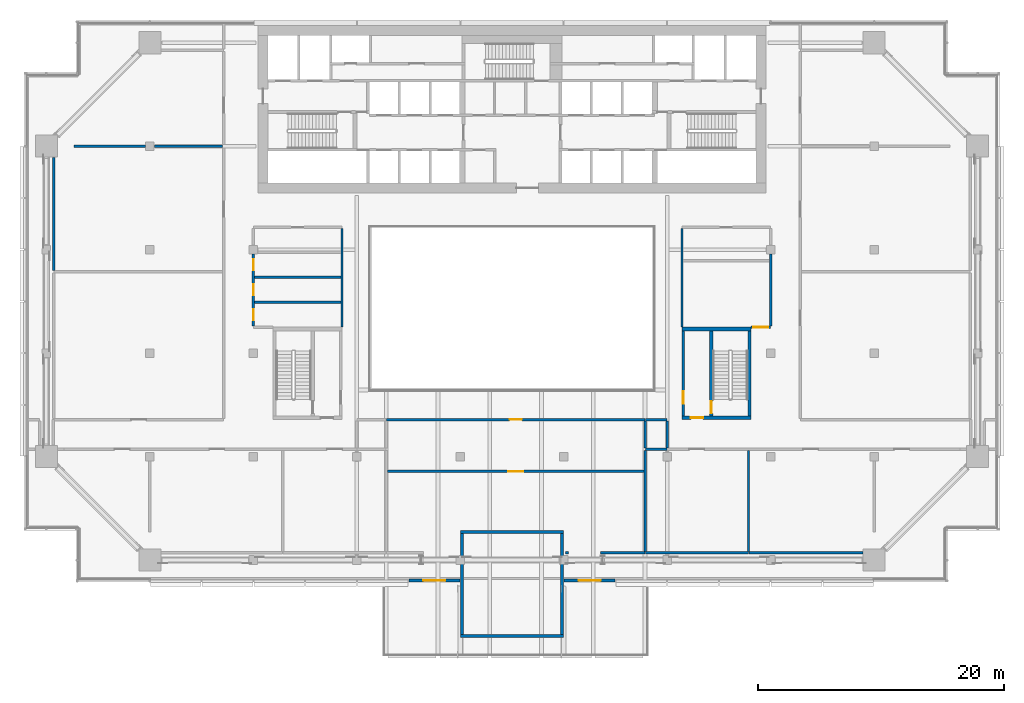
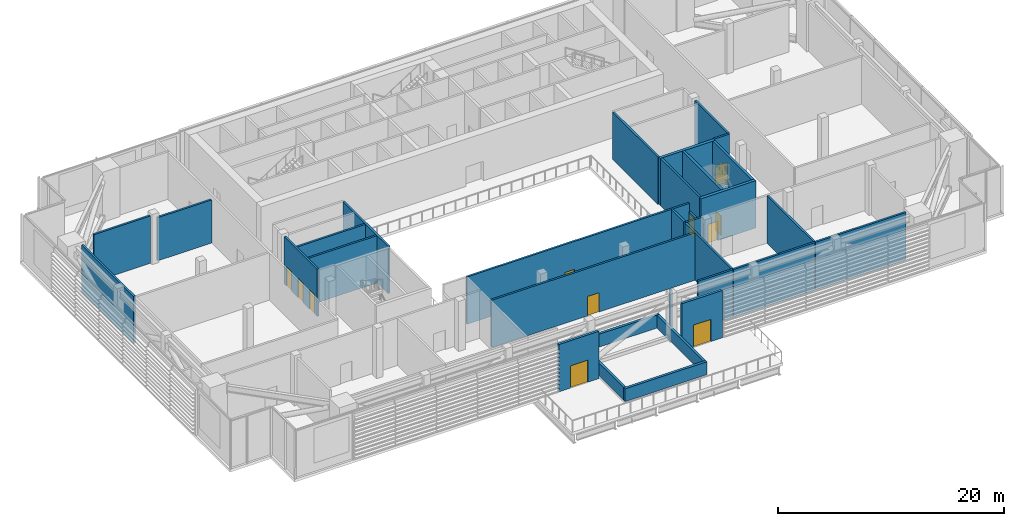
# One storey, part 13 of 29: 33 walls, 11 doors, 11 openings.
"""IFC4 building model written with IfcOpenShell, lengths in metres."""

from ifc_helpers import new_model, si_unit, direction, frame, frame_2d, origin, place, context, subcontext, project, spatial, rectangle, extrude, material, layer, layer_set, type_object, element, fill, save


model = new_model("IFC4")

# Units and contexts
model_context = context("Model", 3, precision=1e-05, world=origin(), true_north=direction((0.0, 1.0)))
body_context = subcontext(model_context, "Body", "Model", "MODEL_VIEW")
ifc_project = project(units=[si_unit("LENGTHUNIT", "METRE"), si_unit("AREAUNIT", "SQUARE_METRE"), si_unit("VOLUMEUNIT", "CUBIC_METRE"), si_unit("PLANEANGLEUNIT", "RADIAN"), si_unit("MASSUNIT", "GRAM", prefix="KILO")], contexts=[model_context])

# Site, building, storey
site_placement = place(None, origin())
site = spatial("IfcSite", under=ifc_project, at=site_placement, CompositionType="ELEMENT")
building_placement = place(site_placement, origin())
building = spatial("IfcBuilding", under=site, at=building_placement, Name="Saffron Gate Tower", CompositionType="ELEMENT")
storey_placement = place(building_placement, frame((0.0, 0.0, 142.050048828125)))
storey = spatial("IfcBuildingStorey", under=building, at=storey_placement, Name="L34", CompositionType="ELEMENT", Elevation=142.050048828125)

# Wall, opening, door
ifc_material_1 = material(Name="Gypsum board partition on steel studs", Category="steel")
ifc_layer_1 = layer(ifc_material_1, 0.199951171875)
ifc_layer_set_1 = layer_set([ifc_layer_1], Name="CW10 Core partition 200")
wall_type_1 = type_object("IfcWallType", Name="CW10 Core partition 200", PredefinedType="PARTITIONING", material=ifc_layer_set_1)
wall_1_placement = place(storey_placement, frame((101.5, 43.5, 0.0), z_axis=(0.0, 0.0, 1.0), x_axis=(0.0, 1.0, 0.0)))
wall_1 = element("IfcWall", 1, at=wall_1_placement, inside=storey, type_object=wall_type_1, Name="Wall CW10-L34-E-2", PredefinedType="PARTITIONING", context=body_context, shape_type="SweptSolid", body=[
    extrude(rectangle(XDim=6.89990234375, YDim=0.199951171875, at=frame_2d((3.449951171875, 0.0))), origin(), (0.0, 0.0, 1.0), 5.119873046875),
])
opening_1_placement = place(wall_1_placement, frame((1.0, 0.0, 0.0)))
opening_1 = element("IfcOpeningElement", 2, at=opening_1_placement, cuts=wall_1, Name="Opening CR-22", PredefinedType="OPENING", context=body_context, shape_type="SweptSolid", body=[
    extrude(rectangle(XDim=1.0, YDim=2.10009765625, at=frame_2d((0.5, 1.050048828125))), frame((0.0, 0.10986328125, 0.0), z_axis=(0.0, -1.0, 0.0), x_axis=(1.0, 0.0, 0.0)), (0.0, 0.0, 1.0), 0.219970703125),
])
ifc_material_2 = material(Name="Steel fire door set", Category="steel")
door_type_1 = type_object("IfcDoorType", Name="CD4 Lobby door 1000x2100 EI 120", OperationType="NOTDEFINED", PredefinedType="DOOR", material=ifc_material_2)
door_1_placement = place(opening_1_placement, origin())
door_1 = element("IfcDoor", 3, at=door_1_placement, inside=storey, type_object=door_type_1, Name="DOOR CR-22", OperationType="SINGLE_SWING_LEFT", OverallHeight=2.10009765625, OverallWidth=1.0, PredefinedType="DOOR", context=body_context, shape_type="SweptSolid", body=[
    extrude(rectangle(XDim=1.0, YDim=2.10009765625, at=frame_2d((0.5, 1.050048828125))), frame((0.0, 0.02490234375, 0.0), z_axis=(0.0, -1.0, 0.0), x_axis=(1.0, 0.0, 0.0)), (0.0, 0.0, 1.0), 0.050048828125),
])
fill(opening_1, door_1)

ifc_material_3 = material(Name="Concrete C60", Category="concrete")
ifc_layer_2 = layer(ifc_material_3, 0.25)
ifc_layer_set_2 = layer_set([ifc_layer_2], Name="CW14 RC core wall 250 C60")
wall_type_2 = type_object("IfcWallType", Name="CW14 RC core wall 250 C60", PredefinedType="SOLIDWALL", material=ifc_layer_set_2)
wall_2_placement = place(storey_placement, frame((103.77490234375, 43.5, 0.0), z_axis=(0.0, 0.0, 1.0), x_axis=(0.0, 1.0, 0.0)))
wall_2 = element("IfcWall", 4, at=wall_2_placement, inside=storey, type_object=wall_type_2, Name="Wall CW14-L34-E-3", PredefinedType="SOLIDWALL", context=body_context, shape_type="SweptSolid", body=[
    extrude(rectangle(XDim=6.89990234375, YDim=0.25, at=frame_2d((3.449951171875, 0.0))), origin(), (0.0, 0.0, 1.0), 5.119873046875),
])
opening_2_placement = place(wall_2_placement, frame((0.199951171875, 0.0, 0.0)))
opening_2 = element("IfcOpeningElement", 5, at=opening_2_placement, cuts=wall_2, Name="Opening CR-23", PredefinedType="OPENING", context=body_context, shape_type="SweptSolid", body=[
    extrude(rectangle(XDim=1.0, YDim=2.10009765625, at=frame_2d((0.5, 1.050048828125))), frame((0.0, 0.135009765625, 0.0), z_axis=(0.0, -1.0, 0.0), x_axis=(1.0, 0.0, 0.0)), (0.0, 0.0, 1.0), 0.27001953125),
])
door_type_2 = type_object("IfcDoorType", Name="CD5 Stair door 1000x2100 EI 120", OperationType="NOTDEFINED", PredefinedType="DOOR", material=ifc_material_2)
door_2_placement = place(opening_2_placement, origin())
door_2 = element("IfcDoor", 6, at=door_2_placement, inside=storey, type_object=door_type_2, Name="DOOR CR-23", OperationType="SINGLE_SWING_RIGHT", OverallHeight=2.10009765625, OverallWidth=1.0, PredefinedType="DOOR", context=body_context, shape_type="SweptSolid", body=[
    extrude(rectangle(XDim=1.0, YDim=2.10009765625, at=frame_2d((0.5, 1.050048828125))), frame((0.0, 0.02490234375, 0.0), z_axis=(0.0, -1.0, 0.0), x_axis=(1.0, 0.0, 0.0)), (0.0, 0.0, 1.0), 0.050048828125),
])
fill(opening_2, door_2)

# Wall
wall_3_placement = place(storey_placement, frame((106.875, 43.5, 0.0), z_axis=(0.0, 0.0, 1.0), x_axis=(0.0, 1.0, 0.0)))
element("IfcWall", 7, at=wall_3_placement, inside=storey, type_object=wall_type_2, Name="Wall CW14-L34-E-4", PredefinedType="SOLIDWALL", context=body_context, shape_type="SweptSolid", body=[
    extrude(rectangle(XDim=6.89990234375, YDim=0.25, at=frame_2d((3.449951171875, 0.0))), origin(), (0.0, 0.0, 1.0), 5.119873046875),
])

# Wall, opening, door
ifc_layer_3 = layer(ifc_material_3, 0.300048828125)
ifc_layer_set_3 = layer_set([ifc_layer_3], Name="CW17 RC core wall 300 C60")
wall_type_3 = type_object("IfcWallType", Name="CW17 RC core wall 300 C60", PredefinedType="SOLIDWALL", material=ifc_layer_set_3)
wall_4_placement = place(storey_placement, frame((101.39990234375, 43.35009765625, 0.0), z_axis=(0.0, 0.0, 1.0), x_axis=(1.0, 0.0, 0.0)))
wall_4 = element("IfcWall", 8, at=wall_4_placement, inside=storey, type_object=wall_type_3, Name="Wall CW17-L34-E-1", PredefinedType="SOLIDWALL", context=body_context, shape_type="SweptSolid", body=[
    extrude(rectangle(XDim=5.60009765625, YDim=0.300048828125, at=frame_2d((2.800048828125, 0.0))), origin(), (0.0, 0.0, 1.0), 5.119873046875),
])
opening_3_placement = place(wall_4_placement, frame((0.72509765625, 0.0, 0.0)))
opening_3 = element("IfcOpeningElement", 9, at=opening_3_placement, cuts=wall_4, Name="Opening CR-21", PredefinedType="OPENING", context=body_context, shape_type="SweptSolid", body=[
    extrude(rectangle(XDim=1.0, YDim=2.10009765625, at=frame_2d((0.5, 1.050048828125))), frame((0.0, 0.16015625, 0.0), z_axis=(0.0, -1.0, 0.0), x_axis=(1.0, 0.0, 0.0)), (0.0, 0.0, 1.0), 0.320068359375),
])
door_3_placement = place(opening_3_placement, origin())
door_3 = element("IfcDoor", 10, at=door_3_placement, inside=storey, type_object=door_type_1, Name="DOOR CR-21", OperationType="SINGLE_SWING_RIGHT", OverallHeight=2.10009765625, OverallWidth=1.0, PredefinedType="DOOR", context=body_context, shape_type="SweptSolid", body=[
    extrude(rectangle(XDim=1.0, YDim=2.10009765625, at=frame_2d((0.5, 1.050048828125))), frame((0.0, 0.02490234375, 0.0), z_axis=(0.0, -1.0, 0.0), x_axis=(1.0, 0.0, 0.0)), (0.0, 0.0, 1.0), 0.050048828125),
])
fill(opening_3, door_3)

# Walls
wall_5_placement = place(storey_placement, frame((101.39990234375, 50.550048828125, 0.0), z_axis=(0.0, 0.0, 1.0), x_axis=(1.0, 0.0, 0.0)))
element("IfcWall", 11, at=wall_5_placement, inside=storey, type_object=wall_type_3, Name="Wall CW17-L34-E-5", PredefinedType="SOLIDWALL", context=body_context, shape_type="SweptSolid", body=[
    extrude(rectangle(XDim=5.60009765625, YDim=0.300048828125, at=frame_2d((2.800048828125, 0.0))), origin(), (0.0, 0.0, 1.0), 5.119873046875),
])
ifc_material_4 = material(Name="Reinforced concrete C35/45, tiled", Category="concrete")
ifc_layer_4 = layer(ifc_material_4, 0.25)
ifc_layer_set_4 = layer_set([ifc_layer_4], Name="POOL2 basin wall")
wall_type_4 = type_object("IfcWallType", Name="POOL2 basin wall", PredefinedType="SOLIDWALL", material=ifc_layer_set_4)
for number, where, z_axis, x_axis, name in (
    (12, (83.39990234375, 25.625, 0.199951171875), (0.0, 0.0, 1.0), (1.0, 0.0, 0.0), "SKY POOL basin wall"),
    (13, (83.39990234375, 34.074951171875, 0.199951171875), (0.0, 0.0, 1.0), (1.0, 0.0, 0.0), "SKY POOL basin wall"),
):
    element("IfcWall", number, at=place(storey_placement, frame(where, z_axis=z_axis, x_axis=x_axis)), inside=storey, type_object=wall_type_4, Name=name, PredefinedType="SOLIDWALL", context=body_context, shape_type="SweptSolid", body=[
        extrude(rectangle(XDim=8.400146484375, YDim=0.25, at=frame_2d((4.2001953125, 0.0))), origin(), (0.0, 0.0, 1.0), 1.39990234375),
    ])
for number, where, z_axis, x_axis, name in (
    (14, (83.52490234375, 25.75, 0.199951171875), (0.0, 0.0, 1.0), (0.0, 1.0, 0.0), "SKY POOL basin wall"),
    (15, (91.675048828125, 25.75, 0.199951171875), (0.0, 0.0, 1.0), (0.0, 1.0, 0.0), "SKY POOL basin wall"),
):
    element("IfcWall", number, at=place(storey_placement, frame(where, z_axis=z_axis, x_axis=x_axis)), inside=storey, type_object=wall_type_4, Name=name, PredefinedType="SOLIDWALL", context=body_context, shape_type="SweptSolid", body=[
        extrude(rectangle(XDim=8.199951171875, YDim=0.25, at=frame_2d((4.10009765625, 0.0))), origin(), (0.0, 0.0, 1.0), 1.39990234375),
    ])
ifc_material_5 = material(Name="Clay brick masonry, rendered", Category="masonry")
ifc_layer_5 = layer(ifc_material_5, 0.199951171875)
ifc_layer_set_5 = layer_set([ifc_layer_5], Name="PW2 Demising wall 200")
wall_type_5 = type_object("IfcWallType", Name="PW2 Demising wall 200", PredefinedType="PARTITIONING", material=ifc_layer_set_5)
for number, where, z_axis, x_axis, name in (
    (16, (66.699951171875, 52.72509765625, 0.0), (0.0, 0.0, 1.0), (1.0, 0.0, 0.0), "Wall SL-26"),
    (17, (66.699951171875, 54.75, 0.0), (0.0, 0.0, 1.0), (1.0, 0.0, 0.0), "Wall SL-27"),
):
    element("IfcWall", number, at=place(storey_placement, frame(where, z_axis=z_axis, x_axis=x_axis)), inside=storey, type_object=wall_type_5, Name=name, PredefinedType="PARTITIONING", context=body_context, shape_type="SweptSolid", body=[
        extrude(rectangle(XDim=7.0, YDim=0.199951171875, at=frame_2d((3.5, 0.0))), origin(), (0.0, 0.0, 1.0), 5.119873046875),
    ])

# Wall, opening, door
ifc_layer_6 = layer(ifc_material_5, 0.199951171875)
ifc_layer_set_6 = layer_set([ifc_layer_6], Name="PW3 Corridor wall 200")
wall_type_6 = type_object("IfcWallType", Name="PW3 Corridor wall 200", PredefinedType="PARTITIONING", material=ifc_layer_set_6)
wall_6_placement = place(storey_placement, frame((98.39990234375, 43.199951171875, 0.0), z_axis=(0.0, 0.0, 1.0), x_axis=(-1.0, 0.0, 0.0)))
wall_6 = element("IfcWall", 18, at=wall_6_placement, inside=storey, type_object=wall_type_6, Name="Wall SL-18", PredefinedType="PARTITIONING", context=body_context, shape_type="SweptSolid", body=[
    extrude(rectangle(XDim=21.0, YDim=0.199951171875, at=frame_2d((10.5, 0.0))), origin(), (0.0, 0.0, 1.0), 5.119873046875),
])
opening_4_placement = place(wall_6_placement, frame((10.0, 0.0, 0.0)))
opening_4 = element("IfcOpeningElement", 19, at=opening_4_placement, cuts=wall_6, Name="Opening SL-2", PredefinedType="OPENING", context=body_context, shape_type="SweptSolid", body=[
    extrude(rectangle(XDim=1.0, YDim=2.10009765625, at=frame_2d((0.5, 1.050048828125))), frame((0.0, 0.10986328125, 0.0), z_axis=(0.0, -1.0, 0.0), x_axis=(1.0, 0.0, 0.0)), (0.0, 0.0, 1.0), 0.219970703125),
])
ifc_material_6 = material(Name="Timber door set", Category="wood")
door_type_3 = type_object("IfcDoorType", Name="RD1 Room door 900x2100", OperationType="NOTDEFINED", PredefinedType="DOOR", material=ifc_material_6)
door_4_placement = place(opening_4_placement, origin())
door_4 = element("IfcDoor", 20, at=door_4_placement, inside=storey, type_object=door_type_3, Name="Door SL-2", OperationType="SINGLE_SWING_RIGHT", OverallHeight=2.10009765625, OverallWidth=1.0, PredefinedType="DOOR", context=body_context, shape_type="SweptSolid", body=[
    extrude(rectangle(XDim=1.0, YDim=2.10009765625, at=frame_2d((0.5, 1.050048828125))), frame((0.0, 0.02490234375, 0.0), z_axis=(0.0, -1.0, 0.0), x_axis=(1.0, 0.0, 0.0)), (0.0, 0.0, 1.0), 0.050048828125),
])
fill(opening_4, door_4)

wall_7_placement = place(storey_placement, frame((107.0, 50.699951171875, 0.0), z_axis=(0.0, 0.0, 1.0), x_axis=(1.0, 0.0, 0.0)))
wall_7 = element("IfcWall", 21, at=wall_7_placement, inside=storey, type_object=wall_type_6, Name="Wall SL-25", PredefinedType="PARTITIONING", context=body_context, shape_type="SweptSolid", body=[
    extrude(rectangle(XDim=1.60009765625, YDim=0.199951171875, at=frame_2d((0.800048828125, 0.0))), origin(), (0.0, 0.0, 1.0), 5.119873046875),
])
opening_5_placement = place(wall_7_placement, frame((0.199951171875, 0.0, 0.0)))
opening_5 = element("IfcOpeningElement", 22, at=opening_5_placement, cuts=wall_7, Name="Opening SL-13", PredefinedType="OPENING", context=body_context, shape_type="SweptSolid", body=[
    extrude(rectangle(XDim=1.199951171875, YDim=2.10009765625, at=frame_2d((0.60009765625, 1.050048828125))), frame((0.0, 0.10986328125, 0.0), z_axis=(0.0, -1.0, 0.0), x_axis=(1.0, 0.0, 0.0)), (0.0, 0.0, 1.0), 0.219970703125),
])
door_type_4 = type_object("IfcDoorType", Name="HD1 Hall door 1200x2100", OperationType="NOTDEFINED", PredefinedType="DOOR", material=ifc_material_6)
door_5_placement = place(opening_5_placement, origin())
door_5 = element("IfcDoor", 23, at=door_5_placement, inside=storey, type_object=door_type_4, Name="Door SL-13", OperationType="SINGLE_SWING_LEFT", OverallHeight=2.10009765625, OverallWidth=1.199951171875, PredefinedType="DOOR", context=body_context, shape_type="SweptSolid", body=[
    extrude(rectangle(XDim=1.199951171875, YDim=2.10009765625, at=frame_2d((0.60009765625, 1.050048828125))), frame((0.0, 0.02490234375, 0.0), z_axis=(0.0, -1.0, 0.0), x_axis=(1.0, 0.0, 0.0)), (0.0, 0.0, 1.0), 0.050048828125),
])
fill(opening_5, door_5)

# Wall, openings, doors
wall_8_placement = place(storey_placement, frame((66.60009765625, 56.6298828125, 0.0), z_axis=(0.0, 0.0, 1.0), x_axis=(0.0, -1.0, 0.0)))
wall_8 = element("IfcWall", 24, at=wall_8_placement, inside=storey, type_object=wall_type_6, Name="Wall SL-47", PredefinedType="PARTITIONING", context=body_context, shape_type="SweptSolid", body=[
    extrude(rectangle(XDim=5.829833984375, YDim=0.199951171875, at=frame_2d((2.9150390625, 0.0))), origin(), (0.0, 0.0, 1.0), 5.119873046875),
])
opening_6_placement = place(wall_8_placement, frame((0.41748046875, 0.0, 0.0)))
opening_6 = element("IfcOpeningElement", 25, at=opening_6_placement, cuts=wall_8, Name="Opening SL-5", PredefinedType="OPENING", context=body_context, shape_type="SweptSolid", body=[
    extrude(rectangle(XDim=0.89990234375, YDim=2.10009765625, at=frame_2d((0.449951171875, 1.050048828125))), frame((0.0, 0.10986328125, 0.0), z_axis=(0.0, -1.0, 0.0), x_axis=(1.0, 0.0, 0.0)), (0.0, 0.0, 1.0), 0.219970703125),
])
opening_7_placement = place(wall_8_placement, frame((2.4423828125, 0.0, 0.0)))
opening_7 = element("IfcOpeningElement", 26, at=opening_7_placement, cuts=wall_8, Name="Opening SL-4", PredefinedType="OPENING", context=body_context, shape_type="SweptSolid", body=[
    extrude(rectangle(XDim=0.89990234375, YDim=2.10009765625, at=frame_2d((0.449951171875, 1.050048828125))), frame((0.0, 0.10986328125, 0.0), z_axis=(0.0, -1.0, 0.0), x_axis=(1.0, 0.0, 0.0)), (0.0, 0.0, 1.0), 0.219970703125),
])
opening_8_placement = place(wall_8_placement, frame((4.467529296875, 0.0, 0.0)))
opening_8 = element("IfcOpeningElement", 27, at=opening_8_placement, cuts=wall_8, Name="Opening SL-3", PredefinedType="OPENING", context=body_context, shape_type="SweptSolid", body=[
    extrude(rectangle(XDim=0.89990234375, YDim=2.10009765625, at=frame_2d((0.449951171875, 1.050048828125))), frame((0.0, 0.10986328125, 0.0), z_axis=(0.0, -1.0, 0.0), x_axis=(1.0, 0.0, 0.0)), (0.0, 0.0, 1.0), 0.219970703125),
])
door_6_placement = place(opening_6_placement, origin())
door_6 = element("IfcDoor", 28, at=door_6_placement, inside=storey, type_object=door_type_3, Name="Door SL-5", OperationType="SINGLE_SWING_LEFT", OverallHeight=2.10009765625, OverallWidth=0.89990234375, PredefinedType="DOOR", context=body_context, shape_type="SweptSolid", body=[
    extrude(rectangle(XDim=0.89990234375, YDim=2.10009765625, at=frame_2d((0.449951171875, 1.050048828125))), frame((0.0, 0.02490234375, 0.0), z_axis=(0.0, -1.0, 0.0), x_axis=(1.0, 0.0, 0.0)), (0.0, 0.0, 1.0), 0.050048828125),
])
fill(opening_6, door_6)
door_7_placement = place(opening_7_placement, origin())
door_7 = element("IfcDoor", 29, at=door_7_placement, inside=storey, type_object=door_type_3, Name="Door SL-4", OperationType="SINGLE_SWING_RIGHT", OverallHeight=2.10009765625, OverallWidth=0.89990234375, PredefinedType="DOOR", context=body_context, shape_type="SweptSolid", body=[
    extrude(rectangle(XDim=0.89990234375, YDim=2.10009765625, at=frame_2d((0.449951171875, 1.050048828125))), frame((0.0, 0.02490234375, 0.0), z_axis=(0.0, -1.0, 0.0), x_axis=(1.0, 0.0, 0.0)), (0.0, 0.0, 1.0), 0.050048828125),
])
fill(opening_7, door_7)
door_8_placement = place(opening_8_placement, origin())
door_8 = element("IfcDoor", 30, at=door_8_placement, inside=storey, type_object=door_type_3, Name="Door SL-3", OperationType="SINGLE_SWING_RIGHT", OverallHeight=2.10009765625, OverallWidth=0.89990234375, PredefinedType="DOOR", context=body_context, shape_type="SweptSolid", body=[
    extrude(rectangle(XDim=0.89990234375, YDim=2.10009765625, at=frame_2d((0.449951171875, 1.050048828125))), frame((0.0, 0.02490234375, 0.0), z_axis=(0.0, -1.0, 0.0), x_axis=(1.0, 0.0, 0.0)), (0.0, 0.0, 1.0), 0.050048828125),
])
fill(opening_8, door_8)

# Walls
for number, where, z_axis, x_axis, name in (
    (31, (73.800048828125, 58.699951171875, 0.0), (0.0, 0.0, 1.0), (0.0, -1.0, 0.0), "Wall SL-50"),
    (32, (101.39990234375, 58.699951171875, 0.0), (0.0, 0.0, 1.0), (0.0, -1.0, 0.0), "Wall SL-57"),
):
    element("IfcWall", number, at=place(storey_placement, frame(where, z_axis=z_axis, x_axis=x_axis)), inside=storey, type_object=wall_type_6, Name=name, PredefinedType="PARTITIONING", context=body_context, shape_type="SweptSolid", body=[
        extrude(rectangle(XDim=8.0, YDim=0.199951171875, at=frame_2d((4.0, 0.0))), origin(), (0.0, 0.0, 1.0), 5.119873046875),
    ])
wall_9_placement = place(storey_placement, frame((108.60009765625, 56.6298828125, 0.0), z_axis=(0.0, 0.0, 1.0), x_axis=(0.0, -1.0, 0.0)))
element("IfcWall", 33, at=wall_9_placement, inside=storey, type_object=wall_type_6, Name="Wall SL-59", PredefinedType="PARTITIONING", context=body_context, shape_type="SweptSolid", body=[
    extrude(rectangle(XDim=5.829833984375, YDim=0.199951171875, at=frame_2d((2.9150390625, 0.0))), origin(), (0.0, 0.0, 1.0), 5.119873046875),
])
ifc_layer_7 = layer(ifc_material_5, 0.199951171875)
ifc_layer_set_7 = layer_set([ifc_layer_7], Name="PW5 Room wall 200")
wall_type_7 = type_object("IfcWallType", Name="PW5 Room wall 200", PredefinedType="PARTITIONING", material=ifc_layer_set_7)
wall_10_placement = place(storey_placement, frame((91.949951171875, 32.39990234375, 0.0), z_axis=(0.0, 0.0, 1.0), x_axis=(1.0, 0.0, 0.0)))
element("IfcWall", 34, at=wall_10_placement, inside=storey, type_object=wall_type_7, Name="Wall SL-4", PredefinedType="PARTITIONING", context=body_context, shape_type="SweptSolid", body=[
    extrude(rectangle(XDim=0.25, YDim=0.199951171875, at=frame_2d((0.125, 0.0))), origin(), (0.0, 0.0, 1.0), 5.119873046875),
])
wall_11_placement = place(storey_placement, frame((94.800048828125, 32.39990234375, 0.0), z_axis=(0.0, 0.0, 1.0), x_axis=(1.0, 0.0, 0.0)))
element("IfcWall", 35, at=wall_11_placement, inside=storey, type_object=wall_type_7, Name="Wall SL-5", PredefinedType="PARTITIONING", context=body_context, shape_type="SweptSolid", body=[
    extrude(rectangle(XDim=3.579833984375, YDim=0.199951171875, at=frame_2d((1.7900390625, 0.0))), origin(), (0.0, 0.0, 1.0), 5.119873046875),
])
wall_12_placement = place(storey_placement, frame((98.419921875, 32.39990234375, 0.0), z_axis=(0.0, 0.0, 1.0), x_axis=(1.0, 0.0, 0.0)))
element("IfcWall", 36, at=wall_12_placement, inside=storey, type_object=wall_type_7, Name="Wall SL-6", PredefinedType="PARTITIONING", context=body_context, shape_type="SweptSolid", body=[
    extrude(rectangle(XDim=8.360107421875, YDim=0.199951171875, at=frame_2d((4.18017578125, 0.0))), origin(), (0.0, 0.0, 1.0), 5.119873046875),
])
wall_13_placement = place(storey_placement, frame((106.820068359375, 32.39990234375, 0.0), z_axis=(0.0, 0.0, 1.0), x_axis=(1.0, 0.0, 0.0)))
element("IfcWall", 37, at=wall_13_placement, inside=storey, type_object=wall_type_7, Name="Wall SL-7", PredefinedType="PARTITIONING", context=body_context, shape_type="SweptSolid", body=[
    extrude(rectangle(XDim=9.260009765625, YDim=0.199951171875, at=frame_2d((4.6298828125, 0.0))), origin(), (0.0, 0.0, 1.0), 5.119873046875),
])

# Wall, opening, door
wall_14_placement = place(storey_placement, frame((98.300048828125, 39.0, 0.0), z_axis=(0.0, 0.0, 1.0), x_axis=(-1.0, 0.0, 0.0)))
wall_14 = element("IfcWall", 38, at=wall_14_placement, inside=storey, type_object=wall_type_7, Name="Wall SL-8", PredefinedType="PARTITIONING", context=body_context, shape_type="SweptSolid", body=[
    extrude(rectangle(XDim=20.800048828125, YDim=0.199951171875, at=frame_2d((10.39990234375, 0.0))), origin(), (0.0, 0.0, 1.0), 5.119873046875),
])
opening_9_placement = place(wall_14_placement, frame((9.800048828125, 0.0, 0.0)))
opening_9 = element("IfcOpeningElement", 39, at=opening_9_placement, cuts=wall_14, Name="Opening SL-20", PredefinedType="OPENING", context=body_context, shape_type="SweptSolid", body=[
    extrude(rectangle(XDim=1.199951171875, YDim=2.10009765625, at=frame_2d((0.60009765625, 1.050048828125))), frame((0.0, 0.10986328125, 0.0), z_axis=(0.0, -1.0, 0.0), x_axis=(1.0, 0.0, 0.0)), (0.0, 0.0, 1.0), 0.219970703125),
])
door_9_placement = place(opening_9_placement, origin())
door_9 = element("IfcDoor", 40, at=door_9_placement, inside=storey, type_object=door_type_4, Name="Door SL-20", OperationType="SINGLE_SWING_RIGHT", OverallHeight=2.10009765625, OverallWidth=1.199951171875, PredefinedType="DOOR", context=body_context, shape_type="SweptSolid", body=[
    extrude(rectangle(XDim=1.199951171875, YDim=2.10009765625, at=frame_2d((0.60009765625, 1.050048828125))), frame((0.0, 0.02490234375, 0.0), z_axis=(0.0, -1.0, 0.0), x_axis=(1.0, 0.0, 0.0)), (0.0, 0.0, 1.0), 0.050048828125),
])
fill(opening_9, door_9)

# Walls
for number, where, z_axis, x_axis, name in (
    (41, (98.419921875, 40.800048828125, 0.0), (0.0, 0.0, 1.0), (1.0, 0.0, 0.0), "Wall SL-14"),
    (42, (98.419921875, 43.199951171875, 0.0), (0.0, 0.0, 1.0), (1.0, 0.0, 0.0), "Wall SL-22"),
):
    element("IfcWall", number, at=place(storey_placement, frame(where, z_axis=z_axis, x_axis=x_axis)), inside=storey, type_object=wall_type_7, Name=name, PredefinedType="PARTITIONING", context=body_context, shape_type="SweptSolid", body=[
        extrude(rectangle(XDim=1.760009765625, YDim=0.199951171875, at=frame_2d((0.8798828125, 0.0))), origin(), (0.0, 0.0, 1.0), 5.119873046875),
    ])
wall_15_placement = place(storey_placement, frame((52.062744140625, 65.39990234375, 0.0), z_axis=(0.0, 0.0, 1.0), x_axis=(1.0, 0.0, 0.0)))
element("IfcWall", 43, at=wall_15_placement, inside=storey, type_object=wall_type_7, Name="Wall SL-34", PredefinedType="PARTITIONING", context=body_context, shape_type="SweptSolid", body=[
    extrude(rectangle(XDim=5.767333984375, YDim=0.199951171875, at=frame_2d((2.8837890625, 0.0))), origin(), (0.0, 0.0, 1.0), 5.119873046875),
])
wall_16_placement = place(storey_placement, frame((58.570068359375, 65.39990234375, 0.0), z_axis=(0.0, 0.0, 1.0), x_axis=(1.0, 0.0, 0.0)))
element("IfcWall", 44, at=wall_16_placement, inside=storey, type_object=wall_type_7, Name="Wall SL-35", PredefinedType="PARTITIONING", context=body_context, shape_type="SweptSolid", body=[
    extrude(rectangle(XDim=5.530029296875, YDim=0.199951171875, at=frame_2d((2.76513671875, 0.0))), origin(), (0.0, 0.0, 1.0), 4.669921875),
])
wall_17_placement = place(storey_placement, frame((50.39990234375, 64.47998046875, 0.0), z_axis=(0.0, 0.0, 1.0), x_axis=(0.0, -1.0, 0.0)))
element("IfcWall", 45, at=wall_17_placement, inside=storey, type_object=wall_type_7, Name="Wall SL-43", PredefinedType="PARTITIONING", context=body_context, shape_type="SweptSolid", body=[
    extrude(rectangle(XDim=9.179931640625, YDim=0.199951171875, at=frame_2d((4.58984375, 0.0))), origin(), (0.0, 0.0, 1.0), 5.119873046875),
])
wall_18_placement = place(storey_placement, frame((98.39990234375, 43.10009765625, 0.0), z_axis=(0.0, 0.0, 1.0), x_axis=(0.0, -1.0, 0.0)))
element("IfcWall", 46, at=wall_18_placement, inside=storey, type_object=wall_type_7, Name="Wall SL-54", PredefinedType="PARTITIONING", context=body_context, shape_type="SweptSolid", body=[
    extrude(rectangle(XDim=2.2001953125, YDim=0.199951171875, at=frame_2d((1.10009765625, 0.0))), origin(), (0.0, 0.0, 1.0), 5.119873046875),
])
wall_19_placement = place(storey_placement, frame((98.39990234375, 40.699951171875, 0.0), z_axis=(0.0, 0.0, 1.0), x_axis=(0.0, -1.0, 0.0)))
element("IfcWall", 47, at=wall_19_placement, inside=storey, type_object=wall_type_7, Name="Wall SL-55", PredefinedType="PARTITIONING", context=body_context, shape_type="SweptSolid", body=[
    extrude(rectangle(XDim=8.199951171875, YDim=0.199951171875, at=frame_2d((4.10009765625, 0.0))), origin(), (0.0, 0.0, 1.0), 5.119873046875),
])
wall_20_placement = place(storey_placement, frame((100.199951171875, 43.10009765625, 0.0), z_axis=(0.0, 0.0, 1.0), x_axis=(0.0, -1.0, 0.0)))
element("IfcWall", 48, at=wall_20_placement, inside=storey, type_object=wall_type_7, Name="Wall SL-56", PredefinedType="PARTITIONING", context=body_context, shape_type="SweptSolid", body=[
    extrude(rectangle(XDim=2.2001953125, YDim=0.199951171875, at=frame_2d((1.10009765625, 0.0))), origin(), (0.0, 0.0, 1.0), 4.22998046875),
])
wall_21_placement = place(storey_placement, frame((106.800048828125, 40.699951171875, 0.0), z_axis=(0.0, 0.0, 1.0), x_axis=(0.0, -1.0, 0.0)))
element("IfcWall", 49, at=wall_21_placement, inside=storey, type_object=wall_type_7, Name="Wall SL-58", PredefinedType="PARTITIONING", context=body_context, shape_type="SweptSolid", body=[
    extrude(rectangle(XDim=8.199951171875, YDim=0.199951171875, at=frame_2d((4.10009765625, 0.0))), origin(), (0.0, 0.0, 1.0), 5.119873046875),
])

# Wall, opening, door
ifc_material_7 = material(Name="Reinforced concrete C40/50 clad in bronze panels", Category="concrete")
ifc_layer_8 = layer(ifc_material_7, 0.25)
ifc_layer_set_8 = layer_set([ifc_layer_8], Name="WBAY2 deck door bay wall")
wall_type_8 = type_object("IfcWallType", Name="WBAY2 deck door bay wall", PredefinedType="SOLIDWALL", material=ifc_layer_set_8)
wall_22_placement = place(storey_placement, frame((83.360107421875, 30.125, 0.0), z_axis=(0.0, 0.0, 1.0), x_axis=(-1.0, 0.0, 0.0)))
wall_22 = element("IfcWall", 50, at=wall_22_placement, inside=storey, type_object=wall_type_8, Name="ENTRANCE BAY wall", PredefinedType="SOLIDWALL", context=body_context, shape_type="SweptSolid", body=[
    extrude(rectangle(XDim=4.1201171875, YDim=0.25, at=frame_2d((2.06005859375, 0.0))), origin(), (0.0, 0.0, 1.0), 5.119873046875),
])
opening_10_placement = place(wall_22_placement, frame((1.159912109375, 0.0, 0.0)))
opening_10 = element("IfcOpeningElement", 51, at=opening_10_placement, cuts=wall_22, Name="Opening SP-01", PredefinedType="OPENING", context=body_context, shape_type="SweptSolid", body=[
    extrude(rectangle(XDim=1.800048828125, YDim=2.39990234375, at=frame_2d((0.89990234375, 1.199951171875))), frame((0.0, 0.135009765625, 0.0), z_axis=(0.0, -1.0, 0.0), x_axis=(1.0, 0.0, 0.0)), (0.0, 0.0, 1.0), 0.27001953125),
])
ifc_material_8 = material(Name="Bronze-framed toughened glass", Category="glass")
ifc_layer_9 = layer(ifc_material_8, 0.050048828125)
ifc_layer_set_9 = layer_set([ifc_layer_9], Name="D2 sliding glass door 1800x2400")
door_type_5 = type_object("IfcDoorType", Name="D2 sliding glass door 1800x2400", OperationType="SLIDING_TO_LEFT", PredefinedType="DOOR", material=ifc_layer_set_9)
door_10_placement = place(opening_10_placement, origin())
door_10 = element("IfcDoor", 52, at=door_10_placement, inside=storey, type_object=door_type_5, Name="DOOR SP-01", OperationType="SLIDING_TO_LEFT", OverallHeight=2.39990234375, OverallWidth=1.800048828125, PredefinedType="DOOR", context=body_context, shape_type="SweptSolid", body=[
    extrude(rectangle(XDim=1.800048828125, YDim=2.39990234375, at=frame_2d((0.89990234375, 1.199951171875))), frame((0.0, 0.02490234375, 0.0), z_axis=(0.0, -1.0, 0.0), x_axis=(1.0, 0.0, 0.0)), (0.0, 0.0, 1.0), 0.050048828125),
])
fill(opening_10, door_10)

wall_23_placement = place(storey_placement, frame((95.9599609375, 30.125, 0.0), z_axis=(0.0, 0.0, 1.0), x_axis=(-1.0, 0.0, 0.0)))
wall_23 = element("IfcWall", 53, at=wall_23_placement, inside=storey, type_object=wall_type_8, Name="ENTRANCE BAY wall", PredefinedType="SOLIDWALL", context=body_context, shape_type="SweptSolid", body=[
    extrude(rectangle(XDim=4.119873046875, YDim=0.25, at=frame_2d((2.06005859375, 0.0))), origin(), (0.0, 0.0, 1.0), 5.119873046875),
])
opening_11_placement = place(wall_23_placement, frame((1.159912109375, 0.0, 0.0)))
opening_11 = element("IfcOpeningElement", 54, at=opening_11_placement, cuts=wall_23, Name="Opening SP-02", PredefinedType="OPENING", context=body_context, shape_type="SweptSolid", body=[
    extrude(rectangle(XDim=1.800048828125, YDim=2.39990234375, at=frame_2d((0.89990234375, 1.199951171875))), frame((0.0, 0.135009765625, 0.0), z_axis=(0.0, -1.0, 0.0), x_axis=(1.0, 0.0, 0.0)), (0.0, 0.0, 1.0), 0.27001953125),
])
door_11_placement = place(opening_11_placement, origin())
door_11 = element("IfcDoor", 55, at=door_11_placement, inside=storey, type_object=door_type_5, Name="DOOR SP-02", OperationType="SLIDING_TO_LEFT", OverallHeight=2.39990234375, OverallWidth=1.800048828125, PredefinedType="DOOR", context=body_context, shape_type="SweptSolid", body=[
    extrude(rectangle(XDim=1.800048828125, YDim=2.39990234375, at=frame_2d((0.89990234375, 1.199951171875))), frame((0.0, 0.02490234375, 0.0), z_axis=(0.0, -1.0, 0.0), x_axis=(1.0, 0.0, 0.0)), (0.0, 0.0, 1.0), 0.050048828125),
])
fill(opening_11, door_11)

save(model, "model.ifc")
